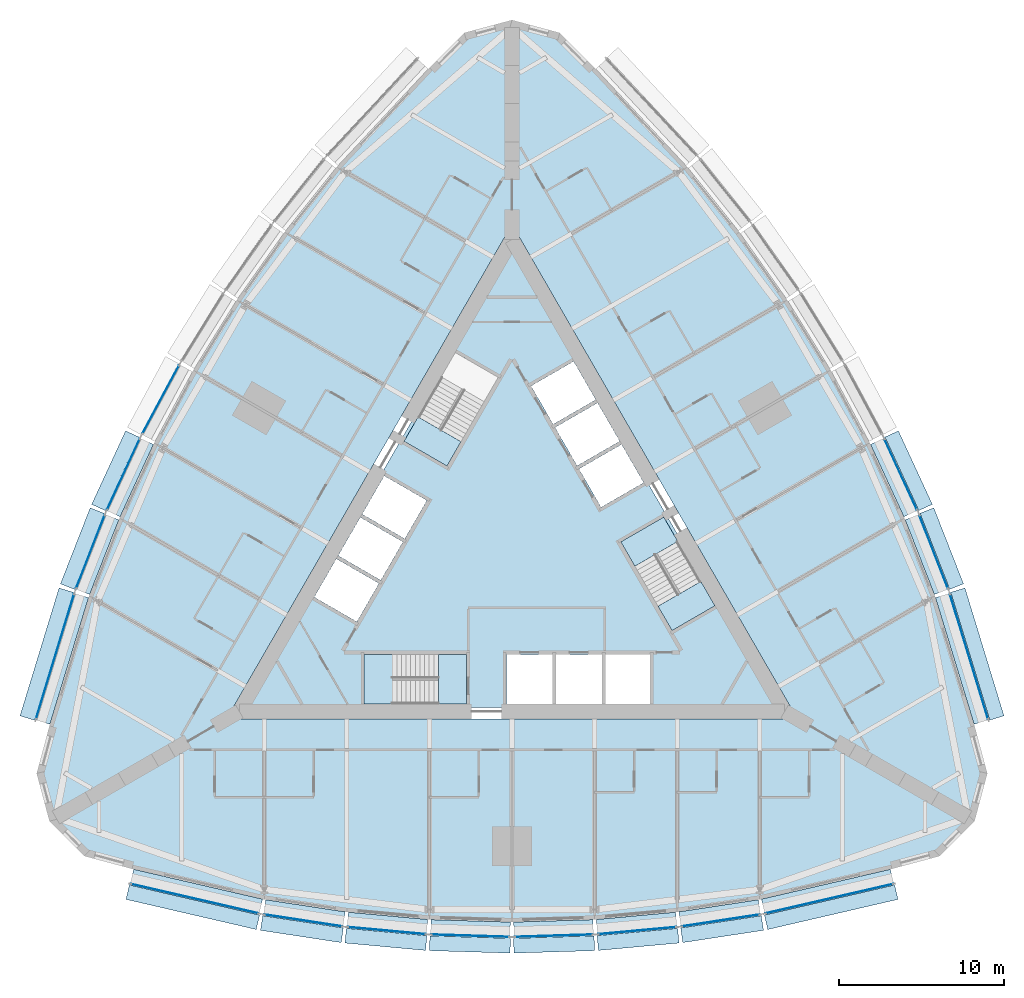
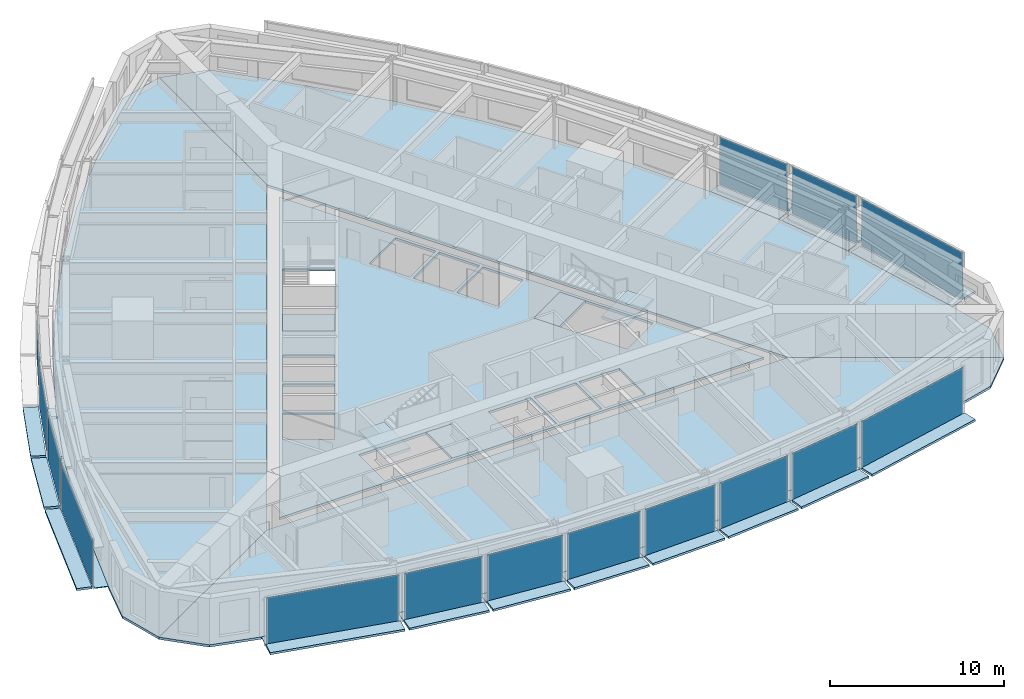
# One storey, part 6 of 14: 43 plates, 9 slabs, 18 elements without a shape of their own.
"""IFC4 building model written with IfcOpenShell, lengths in metres."""

import ifcopenshell
import ifcopenshell.guid

model = None  # the IFC model being written
_history = None  # IfcOwnerHistory: only IFC2X3 demands one
_inside = {}  # id of a spatial element -> (the spatial element, [elements in it])
_under = {}  # id of a project, library or spatial element -> (it, [spatial elements below it])
_declared = {}  # id of a project -> (the project, [libraries it declares])
_typed = {}  # id of a type object -> (the type object, [elements of that type])
_made_of = {}  # id of a material, layer set ... -> (it, [elements and type objects made of it])


def new_model(schema):
    """Start an empty IFC model of exactly this schema.

    Asked for "IFC4X3", IfcOpenShell would pick the latest addendum, in which some entities
    have other attributes; the version numbers below select the first issue.
    IFC2X3 requires an IfcOwnerHistory on every rooted entity: one is made here for all.
    """
    global model, _history
    if schema == "IFC4X3":
        model = ifcopenshell.file(schema_version=(4, 3, 0, 0))
    else:
        model = ifcopenshell.file(schema=schema)
    _inside.clear()
    _under.clear()
    _declared.clear()
    _typed.clear()
    _made_of.clear()
    _history = None
    if model.schema == "IFC2X3":
        org = make("IfcOrganization", Name="unknown")
        user = make(
            "IfcPersonAndOrganization",
            ThePerson=make("IfcPerson", FamilyName="unknown"),
            TheOrganization=org,
        )
        app = make(
            "IfcApplication",
            ApplicationDeveloper=org,
            Version="unknown",
            ApplicationFullName="unknown",
            ApplicationIdentifier="unknown",
        )
        _history = make(
            "IfcOwnerHistory",
            OwningUser=user,
            OwningApplication=app,
            ChangeAction="ADDED",
            CreationDate=0,
        )
    return model


def make(cls, **values):
    """One entity of the class cls with the attributes given. An attribute that is None is left unset."""
    return model.create_entity(
        cls, **{name: value for name, value in values.items() if value is not None}
    )


def rooted(cls, **values):
    """An entity with a GlobalId (a new one), such as an element, a storey or a relation."""
    return make(cls, GlobalId=ifcopenshell.guid.new(), OwnerHistory=_history, **values)


def si_unit(unit_type, name, prefix=None):
    """IfcSIUnit, for example si_unit("LENGTHUNIT", "METRE", prefix="MILLI")."""
    return make("IfcSIUnit", UnitType=unit_type, Prefix=prefix, Name=name)


def assignment(units):
    """IfcUnitAssignment: the units of a project."""
    return None if units is None else make("IfcUnitAssignment", Units=units)


def point(xyz):
    """IfcCartesianPoint."""
    return None if xyz is None else make("IfcCartesianPoint", Coordinates=xyz)


def direction(xyz):
    """IfcDirection."""
    return None if xyz is None else make("IfcDirection", DirectionRatios=xyz)


def frame(location, z_axis=None, x_axis=None):
    """IfcAxis2Placement3D, a coordinate frame: its origin and axes. An axis left out is left unset."""
    return make(
        "IfcAxis2Placement3D",
        Location=point(location),
        Axis=direction(z_axis),
        RefDirection=direction(x_axis),
    )


def frame_2d(location, x_axis=None):
    """IfcAxis2Placement2D, a coordinate frame in the plane: its origin and x axis."""
    return make(
        "IfcAxis2Placement2D", Location=point(location), RefDirection=direction(x_axis)
    )


def origin():
    """The frame at (0, 0, 0) with its axes left unset."""
    return frame((0.0, 0.0, 0.0))


def origin_2d():
    """The frame at (0, 0) in the plane with its x axis left unset."""
    return frame_2d((0.0, 0.0))


def place(relative_to, where):
    """IfcLocalPlacement: puts the frame where relative to a parent placement (None: the world)."""
    return make(
        "IfcLocalPlacement", PlacementRelTo=relative_to, RelativePlacement=where
    )


def context(
    kind, dimensions, precision=None, world=None, true_north=None, identifier=None
):
    """IfcGeometricRepresentationContext, for example the 3D "Model" context."""
    return make(
        "IfcGeometricRepresentationContext",
        ContextIdentifier=identifier,
        ContextType=kind,
        CoordinateSpaceDimension=dimensions,
        Precision=precision,
        WorldCoordinateSystem=world,
        TrueNorth=true_north,
    )


def subcontext(parent, identifier, kind, view, scale=None):
    """IfcGeometricRepresentationSubContext, for example "Body" below "Model"."""
    return make(
        "IfcGeometricRepresentationSubContext",
        ContextIdentifier=identifier,
        ContextType=kind,
        ParentContext=parent,
        TargetScale=scale,
        TargetView=view,
    )


def project(units=None, contexts=None):
    """IfcProject with its units and contexts."""
    return rooted(
        "IfcProject",
        Name="project",
        RepresentationContexts=contexts,
        UnitsInContext=assignment(units),
    )


def spatial(cls, under=None, at=None, **own):
    """A site, building, storey or space (cls), placed at a placement, below another one or the project."""
    s = rooted(cls, ObjectPlacement=at, **own)
    if under is not None:
        _under.setdefault(under.id(), (under, []))[1].append(s)
    return s


def polyline(points):
    """IfcPolyline through the points."""
    return make("IfcPolyline", Points=[point(p) for p in points])


def profile(cls, at=None, kind="AREA", **sizes):
    """A parametric profile (cls). Its sizes go by their IFC names, for example OverallWidth=200.0."""
    return make(cls, ProfileType=kind, Position=at, **sizes)


def rectangle(**sizes):
    """IfcRectangleProfileDef."""
    return profile("IfcRectangleProfileDef", **sizes)


def outline(outer, holes=None, kind="AREA"):
    """IfcArbitraryClosedProfileDef: a profile drawn as a closed curve; with holes, ...WithVoids."""
    if holes is None:
        return make("IfcArbitraryClosedProfileDef", ProfileType=kind, OuterCurve=outer)
    return make(
        "IfcArbitraryProfileDefWithVoids",
        ProfileType=kind,
        OuterCurve=outer,
        InnerCurves=holes,
    )


def extrude(swept, where, along, depth):
    """IfcExtrudedAreaSolid: the profile swept, set in the frame where, extruded along a direction by depth."""
    return make(
        "IfcExtrudedAreaSolid",
        SweptArea=swept,
        Position=where,
        ExtrudedDirection=direction(along),
        Depth=depth,
    )


def shape(context_of_items, identifier, shape_type, items):
    """IfcShapeRepresentation: the items that make up one representation, for example the "Body"."""
    return make(
        "IfcShapeRepresentation",
        ContextOfItems=context_of_items,
        RepresentationIdentifier=identifier,
        RepresentationType=shape_type,
        Items=items,
    )


def material(Name=None, Category=None):
    """IfcMaterial."""
    return make("IfcMaterial", Name=Name, Category=Category)


def layer(
    of_material, thickness, ventilated=None, Name=None, Category=None, Priority=None
):
    """IfcMaterialLayer: one layer of a wall or slab, of a material (None: an air gap)."""
    return make(
        "IfcMaterialLayer",
        Material=of_material,
        LayerThickness=thickness,
        IsVentilated=ventilated,
        Name=Name,
        Category=Category,
        Priority=Priority,
    )


def layer_set(layers, Name=None):
    """IfcMaterialLayerSet."""
    return make("IfcMaterialLayerSet", MaterialLayers=layers, LayerSetName=Name)


def made_of(thing, what):
    """Note that an element or type object is made of a material, layer set ...; save() writes the relation."""
    if what is not None:
        _made_of.setdefault(what.id(), (what, []))[1].append(thing)
    return thing


def type_object(cls, material=None, **own):
    """A type object (cls), such as IfcWallType, which elements share."""
    return made_of(rooted(cls, **own), material)


def element(
    cls,
    number,
    at=None,
    inside=None,
    cuts=None,
    type_object=None,
    material=None,
    context=None,
    identifier="Body",
    shape_type=None,
    held_by="IfcProductDefinitionShape",
    body=None,
    shapes=None,
    **own,
):
    """One element of the class cls, such as IfcWall. Its Tag is "e" and its number.

    at: its placement. inside: the storey or other place that contains it. cuts: it is an
    opening in that element (IfcRelVoidsElement). A single representation is given by context,
    identifier, shape_type and body (its items); several are given by shapes. held_by: the class
    of the entity that holds the representations. save() writes the other relations.
    """
    e = rooted(cls, Tag="e%d" % number, ObjectPlacement=at, **own)
    if body is not None:
        shapes = [shape(context, identifier, shape_type, body)]
    if shapes is not None:
        e.Representation = make(held_by, Representations=shapes)
    if inside is not None:
        _inside.setdefault(inside.id(), (inside, []))[1].append(e)
    if cuts is not None:
        rooted(
            "IfcRelVoidsElement", RelatingBuildingElement=cuts, RelatedOpeningElement=e
        )
    if type_object is not None:
        _typed.setdefault(type_object.id(), (type_object, []))[1].append(e)
    return made_of(e, material)


def aggregate(whole, parts):
    """IfcRelAggregates: a whole, such as a stair, and the parts it consists of."""
    return rooted("IfcRelAggregates", RelatingObject=whole, RelatedObjects=parts)


def save(model, path):
    """Write the relations noted so far, then the file.

    IfcRelAggregates (storeys below a building ...), IfcRelContainedInSpatialStructure (elements
    in a storey), IfcRelDefinesByType, IfcRelAssociatesMaterial and IfcRelDeclares: one each for
    every whole, place, type object, material and project.
    """
    for whole, parts in _under.values():
        aggregate(whole, parts)
    for where, things in _inside.values():
        rooted(
            "IfcRelContainedInSpatialStructure",
            RelatedElements=things,
            RelatingStructure=where,
        )
    for kind, things in _typed.values():
        rooted("IfcRelDefinesByType", RelatedObjects=things, RelatingType=kind)
    for what, things in _made_of.values():
        rooted("IfcRelAssociatesMaterial", RelatedObjects=things, RelatingMaterial=what)
    for by, libraries in _declared.values():
        rooted("IfcRelDeclares", RelatingContext=by, RelatedDefinitions=libraries)
    model.write(path)


model = new_model("IFC4")

# Units and contexts
model_context = context("Model", 3, precision=1e-05, world=origin(), true_north=direction((0.0, 1.0)))
body_context = subcontext(model_context, "Body", "Model", "MODEL_VIEW")
ifc_project = project(units=[si_unit("LENGTHUNIT", "METRE"), si_unit("AREAUNIT", "SQUARE_METRE"), si_unit("VOLUMEUNIT", "CUBIC_METRE"), si_unit("PLANEANGLEUNIT", "RADIAN"), si_unit("MASSUNIT", "GRAM", prefix="KILO")], contexts=[model_context])

# Site, building, storey
site_placement = place(None, origin())
site = spatial("IfcSite", under=ifc_project, at=site_placement, CompositionType="ELEMENT")
building_placement = place(site_placement, origin())
building = spatial("IfcBuilding", under=site, at=building_placement, Name="Trikona Tower", CompositionType="ELEMENT")
storey_placement = place(building_placement, frame((0.0, 0.0, 86.300048828125)))
storey = spatial("IfcBuildingStorey", under=building, at=storey_placement, Name="L22", CompositionType="ELEMENT", Elevation=86.300048828125)

# Plates
ifc_material_1 = material(Name="Aluminium bar grating", Category="aluminium")
ifc_layer_1 = layer(ifc_material_1, 0.050048828125)
ifc_layer_set_1 = layer_set([ifc_layer_1], Name="Cavity catwalk grating")
plate_type_1 = type_object("IfcPlateType", Name="Cavity catwalk grating", PredefinedType="USERDEFINED", material=ifc_layer_set_1)
plate_1_placement = place(storey_placement, frame((-19.09228515625, -20.377197265625, -0.05029296875), z_axis=(0.0, 0.0, 1.0), x_axis=(0.974277718622, -0.225350675607, 0.0)))
element("IfcPlate", 1, at=plate_1_placement, inside=storey, type_object=plate_type_1, Name="Cavity catwalk L22-00", ObjectType="CATWALK GRATING", PredefinedType="USERDEFINED", context=body_context, shape_type="SweptSolid", body=[
    extrude(rectangle(XDim=8.01123046875, YDim=0.820068359375, at=origin_2d()), origin(), (0.0, 0.0, 1.0), 0.050048828125),
])
plate_2_placement = place(storey_placement, frame((-12.561767578125, -21.688720703125, -0.05029296875), z_axis=(0.0, 0.0, 1.0), x_axis=(0.988617896768, -0.150448177754, 0.0)))
element("IfcPlate", 2, at=plate_2_placement, inside=storey, type_object=plate_type_1, Name="Cavity catwalk L22-01", ObjectType="CATWALK GRATING", PredefinedType="USERDEFINED", context=body_context, shape_type="SweptSolid", body=[
    extrude(rectangle(XDim=4.857666015625, YDim=0.820068359375, at=origin_2d()), origin(), (0.0, 0.0, 1.0), 0.050048828125),
])
plate_3_placement = place(storey_placement, frame((-7.537353515625, -22.300537109375, -0.05029296875), z_axis=(0.0, 0.0, 1.0), x_axis=(0.995858098326, -0.090921108655, 0.0)))
element("IfcPlate", 3, at=plate_3_placement, inside=storey, type_object=plate_type_1, Name="Cavity catwalk L22-02", ObjectType="CATWALK GRATING", PredefinedType="USERDEFINED", context=body_context, shape_type="SweptSolid", body=[
    extrude(rectangle(XDim=4.82080078125, YDim=0.820068359375, at=origin_2d()), origin(), (0.0, 0.0, 1.0), 0.050048828125),
])
for number, where, z_axis, x_axis, name in (
    (4, (-2.512451171875, -22.606201171875, -0.05029296875), (0.0, 0.0, 1.0), (0.999537048889, -0.030425119525, 0.0), "Cavity catwalk L22-03"),
    (5, (2.512451171875, -22.606201171875, -0.05029296875), (0.0, 0.0, 1.0), (0.999537048889, 0.030425119525, 0.0), "Cavity catwalk L22-04"),
):
    element("IfcPlate", number, at=place(storey_placement, frame(where, z_axis=z_axis, x_axis=x_axis)), inside=storey, type_object=plate_type_1, Name=name, ObjectType="CATWALK GRATING", PredefinedType="USERDEFINED", context=body_context, shape_type="SweptSolid", body=[
        extrude(rectangle(XDim=4.80224609375, YDim=0.820068359375, at=origin_2d()), origin(), (0.0, 0.0, 1.0), 0.050048828125),
    ])
plate_4_placement = place(storey_placement, frame((7.537353515625, -22.300537109375, -0.05029296875), z_axis=(0.0, 0.0, 1.0), x_axis=(0.995858098326, 0.090921108655, 0.0)))
element("IfcPlate", 6, at=plate_4_placement, inside=storey, type_object=plate_type_1, Name="Cavity catwalk L22-05", ObjectType="CATWALK GRATING", PredefinedType="USERDEFINED", context=body_context, shape_type="SweptSolid", body=[
    extrude(rectangle(XDim=4.82080078125, YDim=0.820068359375, at=origin_2d()), origin(), (0.0, 0.0, 1.0), 0.050048828125),
])
plate_5_placement = place(storey_placement, frame((12.561767578125, -21.688720703125, -0.05029296875), z_axis=(0.0, 0.0, 1.0), x_axis=(0.988617896768, 0.150448177754, 0.0)))
element("IfcPlate", 7, at=plate_5_placement, inside=storey, type_object=plate_type_1, Name="Cavity catwalk L22-06", ObjectType="CATWALK GRATING", PredefinedType="USERDEFINED", context=body_context, shape_type="SweptSolid", body=[
    extrude(rectangle(XDim=4.857666015625, YDim=0.820068359375, at=origin_2d()), origin(), (0.0, 0.0, 1.0), 0.050048828125),
])
for number, where, z_axis, x_axis, name in (
    (8, (19.09228515625, -20.377197265625, -0.05029296875), (0.0, 0.0, 1.0), (0.974277718622, 0.225350675607, 0.0), "Cavity catwalk L22-07"),
    (9, (27.193359375, -6.345947265625, -0.05029296875), (0.0, 0.0, 1.0), (-0.291979449475, 0.956424592471, 0.0), "Cavity catwalk L22-12"),
):
    element("IfcPlate", number, at=place(storey_placement, frame(where, z_axis=z_axis, x_axis=x_axis)), inside=storey, type_object=plate_type_1, Name=name, ObjectType="CATWALK GRATING", PredefinedType="USERDEFINED", context=body_context, shape_type="SweptSolid", body=[
        extrude(rectangle(XDim=8.01123046875, YDim=0.820068359375, at=origin_2d()), origin(), (0.0, 0.0, 1.0), 0.050048828125),
    ])
plate_6_placement = place(storey_placement, frame((25.06396484375, -0.034423828125, -0.05029296875), z_axis=(0.0, 0.0, 1.0), x_axis=(-0.364008876551, 0.931395478726, 0.0)))
element("IfcPlate", 10, at=plate_6_placement, inside=storey, type_object=plate_type_1, Name="Cavity catwalk L22-13", ObjectType="CATWALK GRATING", PredefinedType="USERDEFINED", context=body_context, shape_type="SweptSolid", body=[
    extrude(rectangle(XDim=4.857666015625, YDim=0.820068359375, at=origin_2d()), origin(), (0.0, 0.0, 1.0), 0.050048828125),
])
for number, where, z_axis, x_axis, name in (
    (11, (23.081298828125, 4.622802734375, -0.05029296875), (0.0, 0.0, 1.0), (-0.41919381307, 0.907896771161, 0.0), "Cavity catwalk L22-14"),
    (12, (-23.081298828125, 4.622802734375, -0.05029296875), (0.0, 0.0, 1.0), (-0.41919381307, -0.907896771161, 0.0), "Cavity catwalk L22-29"),
):
    element("IfcPlate", number, at=place(storey_placement, frame(where, z_axis=z_axis, x_axis=x_axis)), inside=storey, type_object=plate_type_1, Name=name, ObjectType="CATWALK GRATING", PredefinedType="USERDEFINED", context=body_context, shape_type="SweptSolid", body=[
        extrude(rectangle(XDim=4.82080078125, YDim=0.820068359375, at=origin_2d()), origin(), (0.0, 0.0, 1.0), 0.050048828125),
    ])
plate_7_placement = place(storey_placement, frame((-25.06396484375, -0.034423828125, -0.05029296875), z_axis=(0.0, 0.0, 1.0), x_axis=(-0.364008876551, -0.931395478726, 0.0)))
element("IfcPlate", 13, at=plate_7_placement, inside=storey, type_object=plate_type_1, Name="Cavity catwalk L22-30", ObjectType="CATWALK GRATING", PredefinedType="USERDEFINED", context=body_context, shape_type="SweptSolid", body=[
    extrude(rectangle(XDim=4.857666015625, YDim=0.820068359375, at=origin_2d()), origin(), (0.0, 0.0, 1.0), 0.050048828125),
])
plate_8_placement = place(storey_placement, frame((-27.193359375, -6.345947265625, -0.05029296875), z_axis=(0.0, 0.0, 1.0), x_axis=(-0.291979449475, -0.956424592471, 0.0)))
element("IfcPlate", 14, at=plate_8_placement, inside=storey, type_object=plate_type_1, Name="Cavity catwalk L22-31", ObjectType="CATWALK GRATING", PredefinedType="USERDEFINED", context=body_context, shape_type="SweptSolid", body=[
    extrude(rectangle(XDim=8.01123046875, YDim=0.820068359375, at=origin_2d()), origin(), (0.0, 0.0, 1.0), 0.050048828125),
])

# Slabs
ifc_material_2 = material(Name="Concrete f'c 5000 psi lightweight on composite steel deck", Category="concrete")
ifc_layer_2 = layer(ifc_material_2, 0.1650390625)
ifc_layer_set_2 = layer_set([ifc_layer_2], Name="Composite floor slab 165")
slab_type_1 = type_object("IfcSlabType", Name="Composite floor slab 165", PredefinedType="FLOOR", material=ifc_layer_set_2)
slab_1_placement = place(storey_placement, frame((0.0, 0.0, -0.1650390625)))
element("IfcSlab", 15, at=slab_1_placement, inside=storey, type_object=slab_type_1, Name="Floor slab L22 core", PredefinedType="FLOOR", context=body_context, shape_type="SweptSolid", body=[
    extrude(outline(polyline([(-16.06689453125, -9.2763671875), (16.06689453125, -9.2763671875), (0.0, 18.552490234375), (-16.06689453125, -9.2763671875)]), holes=[polyline([(12.285400390625, -3.126220703125), (9.185302734375, 2.2431640625), (6.587158203125, 0.7431640625), (9.687255859375, -4.626220703125), (12.285400390625, -3.126220703125)]), polyline([(8.340087890625, -9.06640625), (8.340087890625, -6.086181640625), (5.659912109375, -6.086181640625), (5.659912109375, -9.06640625), (8.340087890625, -9.06640625)]), polyline([(5.390869140625, 2.835205078125), (7.9716796875, 4.3251953125), (6.631591796875, 6.646240234375), (4.05078125, 5.15625), (5.390869140625, 2.835205078125)]), polyline([(2.600830078125, 7.667724609375), (3.94091796875, 5.3466796875), (6.521484375, 6.8369140625), (5.181640625, 9.15771484375), (2.600830078125, 7.667724609375)]), polyline([(5.43994140625, -6.086181640625), (2.659912109375, -6.086181640625), (2.659912109375, -9.06640625), (5.43994140625, -9.06640625), (5.43994140625, -6.086181640625)]), polyline([(3.731689453125, 11.669189453125), (1.15087890625, 10.17919921875), (2.490966796875, 7.858154296875), (5.071533203125, 9.34814453125), (3.731689453125, 11.669189453125)]), polyline([(-0.340087890625, -6.086181640625), (-0.340087890625, -9.06640625), (2.43994140625, -9.06640625), (2.43994140625, -6.086181640625), (-0.340087890625, -6.086181640625)]), polyline([(-3.435302734375, 12.202392578125), (-6.535400390625, 6.8330078125), (-3.937255859375, 5.3330078125), (-0.837158203125, 10.702392578125), (-3.435302734375, 12.202392578125)]), polyline([(-8.949951171875, -9.076416015625), (-2.75, -9.076416015625), (-2.75, -6.076416015625), (-8.949951171875, -6.076416015625), (-8.949951171875, -9.076416015625)]), polyline([(-5.15087890625, 3.2509765625), (-7.731689453125, 4.740966796875), (-9.071533203125, 2.419921875), (-6.490966796875, 0.929931640625), (-5.15087890625, 3.2509765625)]), polyline([(-7.94091796875, -1.581298828125), (-6.600830078125, 0.739501953125), (-9.181640625, 2.2294921875), (-10.521484375, -0.09130859375), (-7.94091796875, -1.581298828125)]), polyline([(-11.9716796875, -2.602783203125), (-9.390869140625, -4.093017578125), (-8.05078125, -1.77197265625), (-10.631591796875, -0.281982421875), (-11.9716796875, -2.602783203125)])]), origin(), (0.0, 0.0, 1.0), 0.1650390625),
])
slab_2_placement = place(storey_placement, frame((0.0, 0.0, -0.1650390625)))
element("IfcSlab", 16, at=slab_2_placement, inside=storey, type_object=slab_type_1, Name="Floor slab L22 south", PredefinedType="FLOOR", context=body_context, shape_type="SweptSolid", body=[
    extrude(outline(polyline([(25.88671875, -18.279052734375), (28.0, -16.165771484375), (17.279296875, -9.976318359375), (-17.279296875, -9.976318359375), (-28.0, -16.165771484375), (-25.88671875, -18.279052734375), (-23.0, -19.052490234375), (-15.0, -20.903076171875), (-10.0, -21.663818359375), (-5.0, -22.120361328125), (0.0, -22.272705078125), (5.0, -22.120361328125), (10.0, -21.663818359375), (15.0, -20.903076171875), (23.0, -19.052490234375), (25.88671875, -18.279052734375)])), origin(), (0.0, 0.0, 1.0), 0.1650390625),
])
slab_3_placement = place(storey_placement, frame((0.0, 0.0, -0.1650390625)))
element("IfcSlab", 17, at=slab_3_placement, inside=storey, type_object=slab_type_1, Name="Floor slab L22 north-east", PredefinedType="FLOOR", context=body_context, shape_type="SweptSolid", body=[
    extrude(outline(polyline([(2.88671875, 31.55810546875), (0.0, 32.33154296875), (0.0, 19.95263671875), (17.279296875, -9.976318359375), (28.0, -16.165771484375), (28.7734375, -13.279052734375), (28.0, -10.392333984375), (25.6025390625, -2.538818359375), (23.761474609375, 2.171630859375), (21.65673828125, 6.72998046875), (19.28857421875, 11.13623046875), (16.65673828125, 15.390380859375), (13.761474609375, 19.4921875), (10.6025390625, 23.44189453125), (5.0, 29.44482421875), (2.88671875, 31.55810546875)])), origin(), (0.0, 0.0, 1.0), 0.1650390625),
])
slab_4_placement = place(storey_placement, frame((0.0, 0.0, -0.1650390625)))
element("IfcSlab", 18, at=slab_4_placement, inside=storey, type_object=slab_type_1, Name="Floor slab L22 north-west", PredefinedType="FLOOR", context=body_context, shape_type="SweptSolid", body=[
    extrude(outline(polyline([(0.0, 19.95263671875), (0.0, 32.33154296875), (-2.88671875, 31.55810546875), (-5.0, 29.44482421875), (-10.6025390625, 23.44189453125), (-13.761474609375, 19.4921875), (-16.65673828125, 15.390380859375), (-19.28857421875, 11.13623046875), (-21.65673828125, 6.72998046875), (-23.761474609375, 2.171630859375), (-25.6025390625, -2.538818359375), (-28.0, -10.392333984375), (-28.7734375, -13.279052734375), (-28.0, -16.165771484375), (-17.279296875, -9.976318359375), (0.0, 19.95263671875)])), origin(), (0.0, 0.0, 1.0), 0.1650390625),
])

# Curtain wall, plate
ifc_material_3 = material(Name="Aluminium curtain wall system", Category="aluminium")
curtain_wall_type = type_object("IfcCurtainWallType", Name="Curtain wall DS1", PredefinedType="NOTDEFINED", material=ifc_material_3)
curtain_wall_1_placement = place(storey_placement, origin())
curtain_wall_1 = element("IfcCurtainWall", 19, at=curtain_wall_1_placement, inside=storey, type_object=curtain_wall_type, Name="Curtain wall DS1 L22", PredefinedType="NOTDEFINED")
ifc_material_4 = material(Name="Laminated clear glass", Category="glass")
ifc_layer_3 = layer(ifc_material_4, 0.028076171875)
ifc_layer_set_3 = layer_set([ifc_layer_3], Name="Glass panel DS1")
plate_type_2 = type_object("IfcPlateType", Name="Glass panel DS1", PredefinedType="CURTAIN_PANEL", material=ifc_layer_set_3)
plate_9_placement = place(storey_placement, frame((-19.202880859375, -20.854736328125, 0.0), z_axis=(0.0, 0.0, 1.0), x_axis=(0.974279427173, -0.225343288756, 0.0)))
plate_9 = element("IfcPlate", 20, at=plate_9_placement, type_object=plate_type_2, Name="CW-DS1 panel 1.1", PredefinedType="CURTAIN_PANEL", context=body_context, shape_type="SweptSolid", body=[
    extrude(rectangle(XDim=7.93115234375, YDim=0.028076171875, at=origin_2d()), origin(), (0.0, 0.0, 1.0), 3.320068359375),
])
aggregate(curtain_wall_1, [plate_9])

curtain_wall_2_placement = place(storey_placement, origin())
curtain_wall_2 = element("IfcCurtainWall", 21, at=curtain_wall_2_placement, inside=storey, type_object=curtain_wall_type, Name="Curtain wall DS1 L22", PredefinedType="NOTDEFINED")
plate_10_placement = place(storey_placement, frame((-12.635498046875, -22.173095703125, 0.0), z_axis=(0.0, 0.0, 1.0), x_axis=(0.988619492156, -0.150437693845, 0.0)))
plate_10 = element("IfcPlate", 22, at=plate_10_placement, type_object=plate_type_2, Name="CW-DS1 panel 1.1", PredefinedType="CURTAIN_PANEL", context=body_context, shape_type="SweptSolid", body=[
    extrude(rectangle(XDim=4.777587890625, YDim=0.028076171875, at=origin_2d()), origin(), (0.0, 0.0, 1.0), 3.320068359375),
])
aggregate(curtain_wall_2, [plate_10])

curtain_wall_3_placement = place(storey_placement, origin())
curtain_wall_3 = element("IfcCurtainWall", 23, at=curtain_wall_3_placement, inside=storey, type_object=curtain_wall_type, Name="Curtain wall DS1 L22", PredefinedType="NOTDEFINED")
plate_11_placement = place(storey_placement, frame((-7.581787109375, -22.788330078125, 0.0), z_axis=(0.0, 0.0, 1.0), x_axis=(0.995857840485, -0.090923932737, 0.0)))
plate_11 = element("IfcPlate", 24, at=plate_11_placement, type_object=plate_type_2, Name="CW-DS1 panel 1.1", PredefinedType="CURTAIN_PANEL", context=body_context, shape_type="SweptSolid", body=[
    extrude(rectangle(XDim=4.74072265625, YDim=0.028076171875, at=origin_2d()), origin(), (0.0, 0.0, 1.0), 3.320068359375),
])
aggregate(curtain_wall_3, [plate_11])

curtain_wall_4_placement = place(storey_placement, origin())
curtain_wall_4 = element("IfcCurtainWall", 25, at=curtain_wall_4_placement, inside=storey, type_object=curtain_wall_type, Name="Curtain wall DS1 L22", PredefinedType="NOTDEFINED")
plate_12_placement = place(storey_placement, frame((-2.52734375, -23.09619140625, 0.0), z_axis=(0.0, 0.0, 1.0), x_axis=(0.999536695965, -0.030436711692, 0.0)))
plate_12 = element("IfcPlate", 26, at=plate_12_placement, type_object=plate_type_2, Name="CW-DS1 panel 1.1", PredefinedType="CURTAIN_PANEL", context=body_context, shape_type="SweptSolid", body=[
    extrude(rectangle(XDim=4.72216796875, YDim=0.028076171875, at=origin_2d()), origin(), (0.0, 0.0, 1.0), 3.320068359375),
])
aggregate(curtain_wall_4, [plate_12])

curtain_wall_5_placement = place(storey_placement, origin())
curtain_wall_5 = element("IfcCurtainWall", 27, at=curtain_wall_5_placement, inside=storey, type_object=curtain_wall_type, Name="Curtain wall DS1 L22", PredefinedType="NOTDEFINED")
plate_13_placement = place(storey_placement, frame((2.52734375, -23.09619140625, 0.0), z_axis=(0.0, 0.0, 1.0), x_axis=(0.999536695965, 0.030436711692, 0.0)))
plate_13 = element("IfcPlate", 28, at=plate_13_placement, type_object=plate_type_2, Name="CW-DS1 panel 1.1", PredefinedType="CURTAIN_PANEL", context=body_context, shape_type="SweptSolid", body=[
    extrude(rectangle(XDim=4.72216796875, YDim=0.028076171875, at=origin_2d()), origin(), (0.0, 0.0, 1.0), 3.320068359375),
])
aggregate(curtain_wall_5, [plate_13])

curtain_wall_6_placement = place(storey_placement, origin())
curtain_wall_6 = element("IfcCurtainWall", 29, at=curtain_wall_6_placement, inside=storey, type_object=curtain_wall_type, Name="Curtain wall DS1 L22", PredefinedType="NOTDEFINED")
plate_14_placement = place(storey_placement, frame((7.581787109375, -22.788330078125, 0.0), z_axis=(0.0, 0.0, 1.0), x_axis=(0.995857840485, 0.090923932737, 0.0)))
plate_14 = element("IfcPlate", 30, at=plate_14_placement, type_object=plate_type_2, Name="CW-DS1 panel 1.1", PredefinedType="CURTAIN_PANEL", context=body_context, shape_type="SweptSolid", body=[
    extrude(rectangle(XDim=4.74072265625, YDim=0.028076171875, at=origin_2d()), origin(), (0.0, 0.0, 1.0), 3.320068359375),
])
aggregate(curtain_wall_6, [plate_14])

curtain_wall_7_placement = place(storey_placement, origin())
curtain_wall_7 = element("IfcCurtainWall", 31, at=curtain_wall_7_placement, inside=storey, type_object=curtain_wall_type, Name="Curtain wall DS1 L22", PredefinedType="NOTDEFINED")
plate_15_placement = place(storey_placement, frame((12.635498046875, -22.173095703125, 0.0), z_axis=(0.0, 0.0, 1.0), x_axis=(0.988619492156, 0.150437693845, 0.0)))
plate_15 = element("IfcPlate", 32, at=plate_15_placement, type_object=plate_type_2, Name="CW-DS1 panel 1.1", PredefinedType="CURTAIN_PANEL", context=body_context, shape_type="SweptSolid", body=[
    extrude(rectangle(XDim=4.777587890625, YDim=0.028076171875, at=origin_2d()), origin(), (0.0, 0.0, 1.0), 3.320068359375),
])
aggregate(curtain_wall_7, [plate_15])

curtain_wall_8_placement = place(storey_placement, origin())
curtain_wall_8 = element("IfcCurtainWall", 33, at=curtain_wall_8_placement, inside=storey, type_object=curtain_wall_type, Name="Curtain wall DS1 L22", PredefinedType="NOTDEFINED")
plate_16_placement = place(storey_placement, frame((19.202880859375, -20.854736328125, 0.0), z_axis=(0.0, 0.0, 1.0), x_axis=(0.974279427173, 0.225343288756, 0.0)))
plate_16 = element("IfcPlate", 34, at=plate_16_placement, type_object=plate_type_2, Name="CW-DS1 panel 1.1", PredefinedType="CURTAIN_PANEL", context=body_context, shape_type="SweptSolid", body=[
    extrude(rectangle(XDim=7.93115234375, YDim=0.028076171875, at=origin_2d()), origin(), (0.0, 0.0, 1.0), 3.320068359375),
])
aggregate(curtain_wall_8, [plate_16])

curtain_wall_9_placement = place(storey_placement, origin())
curtain_wall_9 = element("IfcCurtainWall", 35, at=curtain_wall_9_placement, inside=storey, type_object=curtain_wall_type, Name="Curtain wall DS1 L22", PredefinedType="NOTDEFINED")
plate_17_placement = place(storey_placement, frame((27.662109375, -6.202880859375, 0.0), z_axis=(0.0, 0.0, 1.0), x_axis=(-0.291984287868, 0.956423115383, 0.0)))
plate_17 = element("IfcPlate", 36, at=plate_17_placement, type_object=plate_type_2, Name="CW-DS1 panel 1.1", PredefinedType="CURTAIN_PANEL", context=body_context, shape_type="SweptSolid", body=[
    extrude(rectangle(XDim=7.93115234375, YDim=0.028076171875, at=origin_2d()), origin(), (0.0, 0.0, 1.0), 3.320068359375),
])
aggregate(curtain_wall_9, [plate_17])

curtain_wall_10_placement = place(storey_placement, origin())
curtain_wall_10 = element("IfcCurtainWall", 37, at=curtain_wall_10_placement, inside=storey, type_object=curtain_wall_type, Name="Curtain wall DS1 L22", PredefinedType="NOTDEFINED")
plate_18_placement = place(storey_placement, frame((25.520263671875, 0.14404296875, 0.0), z_axis=(0.0, 0.0, 1.0), x_axis=(-0.36400756977, 0.931395989443, 0.0)))
plate_18 = element("IfcPlate", 38, at=plate_18_placement, type_object=plate_type_2, Name="CW-DS1 panel 1.1", PredefinedType="CURTAIN_PANEL", context=body_context, shape_type="SweptSolid", body=[
    extrude(rectangle(XDim=4.777587890625, YDim=0.028076171875, at=origin_2d()), origin(), (0.0, 0.0, 1.0), 3.320068359375),
])
aggregate(curtain_wall_10, [plate_18])

curtain_wall_11_placement = place(storey_placement, origin())
curtain_wall_11 = element("IfcCurtainWall", 39, at=curtain_wall_11_placement, inside=storey, type_object=curtain_wall_type, Name="Curtain wall DS1 L22", PredefinedType="NOTDEFINED")
plate_19_placement = place(storey_placement, frame((23.5263671875, 4.828125, 0.0), z_axis=(0.0, 0.0, 1.0), x_axis=(-0.419190155352, 0.907898459992, 0.0)))
plate_19 = element("IfcPlate", 40, at=plate_19_placement, type_object=plate_type_2, Name="CW-DS1 panel 1.1", PredefinedType="CURTAIN_PANEL", context=body_context, shape_type="SweptSolid", body=[
    extrude(rectangle(XDim=4.740966796875, YDim=0.028076171875, at=origin_2d()), origin(), (0.0, 0.0, 1.0), 3.320068359375),
])
aggregate(curtain_wall_11, [plate_19])

curtain_wall_12_placement = place(storey_placement, origin())
curtain_wall_12 = element("IfcCurtainWall", 41, at=curtain_wall_12_placement, inside=storey, type_object=curtain_wall_type, Name="Curtain wall DS1 L22", PredefinedType="NOTDEFINED")
plate_20_placement = place(storey_placement, frame((-21.265380859375, 9.359130859375, 0.0), z_axis=(0.0, 0.0, 1.0), x_axis=(-0.473408350896, -0.880843080975, 0.0)))
plate_20 = element("IfcPlate", 42, at=plate_20_placement, type_object=plate_type_2, Name="CW-DS1 panel 1.1", PredefinedType="CURTAIN_PANEL", context=body_context, shape_type="SweptSolid", body=[
    extrude(rectangle(XDim=4.72216796875, YDim=0.028076171875, at=origin_2d()), origin(), (0.0, 0.0, 1.0), 3.320068359375),
])
aggregate(curtain_wall_12, [plate_20])

curtain_wall_13_placement = place(storey_placement, origin())
curtain_wall_13 = element("IfcCurtainWall", 43, at=curtain_wall_13_placement, inside=storey, type_object=curtain_wall_type, Name="Curtain wall DS1 L22", PredefinedType="NOTDEFINED")
plate_21_placement = place(storey_placement, frame((-23.5263671875, 4.828125, 0.0), z_axis=(0.0, 0.0, 1.0), x_axis=(-0.419190155352, -0.907898459992, 0.0)))
plate_21 = element("IfcPlate", 44, at=plate_21_placement, type_object=plate_type_2, Name="CW-DS1 panel 1.1", PredefinedType="CURTAIN_PANEL", context=body_context, shape_type="SweptSolid", body=[
    extrude(rectangle(XDim=4.740966796875, YDim=0.028076171875, at=origin_2d()), origin(), (0.0, 0.0, 1.0), 3.320068359375),
])
aggregate(curtain_wall_13, [plate_21])

curtain_wall_14_placement = place(storey_placement, origin())
curtain_wall_14 = element("IfcCurtainWall", 45, at=curtain_wall_14_placement, inside=storey, type_object=curtain_wall_type, Name="Curtain wall DS1 L22", PredefinedType="NOTDEFINED")
plate_22_placement = place(storey_placement, frame((-25.520263671875, 0.14404296875, 0.0), z_axis=(0.0, 0.0, 1.0), x_axis=(-0.36400756977, -0.931395989443, 0.0)))
plate_22 = element("IfcPlate", 46, at=plate_22_placement, type_object=plate_type_2, Name="CW-DS1 panel 1.1", PredefinedType="CURTAIN_PANEL", context=body_context, shape_type="SweptSolid", body=[
    extrude(rectangle(XDim=4.777587890625, YDim=0.028076171875, at=origin_2d()), origin(), (0.0, 0.0, 1.0), 3.320068359375),
])
aggregate(curtain_wall_14, [plate_22])

curtain_wall_15_placement = place(storey_placement, origin())
curtain_wall_15 = element("IfcCurtainWall", 47, at=curtain_wall_15_placement, inside=storey, type_object=curtain_wall_type, Name="Curtain wall DS1 L22", PredefinedType="NOTDEFINED")
plate_23_placement = place(storey_placement, frame((-27.662109375, -6.202880859375, 0.0), z_axis=(0.0, 0.0, 1.0), x_axis=(-0.291984287868, -0.956423115383, 0.0)))
plate_23 = element("IfcPlate", 48, at=plate_23_placement, type_object=plate_type_2, Name="CW-DS1 panel 1.1", PredefinedType="CURTAIN_PANEL", context=body_context, shape_type="SweptSolid", body=[
    extrude(rectangle(XDim=7.93115234375, YDim=0.028076171875, at=origin_2d()), origin(), (0.0, 0.0, 1.0), 3.320068359375),
])
aggregate(curtain_wall_15, [plate_23])

# Plates
ifc_material_5 = material(Name="Aluminium plate fin, pale anodised, on stainless steel outriggers", Category="steel")
ifc_layer_4 = layer(ifc_material_5, 0.14990234375)
ifc_layer_set_4 = layer_set([ifc_layer_4], Name="Outer skin fin 900")
plate_type_3 = type_object("IfcPlateType", Name="Outer skin fin 900", PredefinedType="USERDEFINED", material=ifc_layer_set_4)
plate_24_placement = place(storey_placement, frame((-19.322265625, -21.37109375, 0.0), z_axis=(0.0, 0.0, 1.0), x_axis=(0.974277718622, -0.225350675607, 0.0)))
element("IfcPlate", 49, at=plate_24_placement, inside=storey, type_object=plate_type_3, Name="Outer skin fin L22-00", ObjectType="FIN", PredefinedType="USERDEFINED", context=body_context, shape_type="SweptSolid", body=[
    extrude(rectangle(XDim=8.09130859375, YDim=0.89990234375, at=origin_2d()), origin(), (0.0, 0.0, 1.0), 0.14990234375),
])
plate_25_placement = place(storey_placement, frame((-12.715087890625, -22.697265625, 0.0), z_axis=(0.0, 0.0, 1.0), x_axis=(0.988617896768, -0.150448177754, 0.0)))
element("IfcPlate", 50, at=plate_25_placement, inside=storey, type_object=plate_type_3, Name="Outer skin fin L22-01", ObjectType="FIN", PredefinedType="USERDEFINED", context=body_context, shape_type="SweptSolid", body=[
    extrude(rectangle(XDim=4.9375, YDim=0.89990234375, at=origin_2d()), origin(), (0.0, 0.0, 1.0), 0.14990234375),
])
plate_26_placement = place(storey_placement, frame((-7.6298828125, -23.316162109375, 0.0), z_axis=(0.0, 0.0, 1.0), x_axis=(0.995858098326, -0.090921108655, 0.0)))
element("IfcPlate", 51, at=plate_26_placement, inside=storey, type_object=plate_type_3, Name="Outer skin fin L22-02", ObjectType="FIN", PredefinedType="USERDEFINED", context=body_context, shape_type="SweptSolid", body=[
    extrude(rectangle(XDim=4.90087890625, YDim=0.89990234375, at=origin_2d()), origin(), (0.0, 0.0, 1.0), 0.14990234375),
])
for number, where, z_axis, x_axis, name in (
    (52, (-2.54345703125, -23.625732421875, 0.0), (0.0, 0.0, 1.0), (0.999537048889, -0.030425119525, 0.0), "Outer skin fin L22-03"),
    (53, (2.54345703125, -23.625732421875, 0.0), (0.0, 0.0, 1.0), (0.999537048889, 0.030425119525, 0.0), "Outer skin fin L22-04"),
):
    element("IfcPlate", number, at=place(storey_placement, frame(where, z_axis=z_axis, x_axis=x_axis)), inside=storey, type_object=plate_type_3, Name=name, ObjectType="FIN", PredefinedType="USERDEFINED", context=body_context, shape_type="SweptSolid", body=[
        extrude(rectangle(XDim=4.88232421875, YDim=0.89990234375, at=origin_2d()), origin(), (0.0, 0.0, 1.0), 0.14990234375),
    ])
plate_27_placement = place(storey_placement, frame((7.6298828125, -23.316162109375, 0.0), z_axis=(0.0, 0.0, 1.0), x_axis=(0.995858098326, 0.090921108655, 0.0)))
element("IfcPlate", 54, at=plate_27_placement, inside=storey, type_object=plate_type_3, Name="Outer skin fin L22-05", ObjectType="FIN", PredefinedType="USERDEFINED", context=body_context, shape_type="SweptSolid", body=[
    extrude(rectangle(XDim=4.90087890625, YDim=0.89990234375, at=origin_2d()), origin(), (0.0, 0.0, 1.0), 0.14990234375),
])
plate_28_placement = place(storey_placement, frame((12.715087890625, -22.697265625, 0.0), z_axis=(0.0, 0.0, 1.0), x_axis=(0.988617896768, 0.150448177754, 0.0)))
element("IfcPlate", 55, at=plate_28_placement, inside=storey, type_object=plate_type_3, Name="Outer skin fin L22-06", ObjectType="FIN", PredefinedType="USERDEFINED", context=body_context, shape_type="SweptSolid", body=[
    extrude(rectangle(XDim=4.9375, YDim=0.89990234375, at=origin_2d()), origin(), (0.0, 0.0, 1.0), 0.14990234375),
])
for number, where, z_axis, x_axis, name in (
    (56, (19.322265625, -21.37109375, 0.0), (0.0, 0.0, 1.0), (0.974277718622, 0.225350675607, 0.0), "Outer skin fin L22-07"),
    (57, (28.1689453125, -6.048095703125, 0.0), (0.0, 0.0, 1.0), (-0.291979449475, 0.956424592471, 0.0), "Outer skin fin L22-12"),
):
    element("IfcPlate", number, at=place(storey_placement, frame(where, z_axis=z_axis, x_axis=x_axis)), inside=storey, type_object=plate_type_3, Name=name, ObjectType="FIN", PredefinedType="USERDEFINED", context=body_context, shape_type="SweptSolid", body=[
        extrude(rectangle(XDim=8.09130859375, YDim=0.89990234375, at=origin_2d()), origin(), (0.0, 0.0, 1.0), 0.14990234375),
    ])
plate_29_placement = place(storey_placement, frame((26.013916015625, 0.3369140625, 0.0), z_axis=(0.0, 0.0, 1.0), x_axis=(-0.364008876551, 0.931395478726, 0.0)))
element("IfcPlate", 58, at=plate_29_placement, inside=storey, type_object=plate_type_3, Name="Outer skin fin L22-13", ObjectType="FIN", PredefinedType="USERDEFINED", context=body_context, shape_type="SweptSolid", body=[
    extrude(rectangle(XDim=4.9375, YDim=0.89990234375, at=origin_2d()), origin(), (0.0, 0.0, 1.0), 0.14990234375),
])
for number, where, z_axis, x_axis, name in (
    (59, (24.00732421875, 5.05029296875, 0.0), (0.0, 0.0, 1.0), (-0.41919381307, 0.907896771161, 0.0), "Outer skin fin L22-14"),
    (60, (-24.00732421875, 5.05029296875, 0.0), (0.0, 0.0, 1.0), (-0.41919381307, -0.907896771161, 0.0), "Outer skin fin L22-29"),
):
    element("IfcPlate", number, at=place(storey_placement, frame(where, z_axis=z_axis, x_axis=x_axis)), inside=storey, type_object=plate_type_3, Name=name, ObjectType="FIN", PredefinedType="USERDEFINED", context=body_context, shape_type="SweptSolid", body=[
        extrude(rectangle(XDim=4.90087890625, YDim=0.89990234375, at=origin_2d()), origin(), (0.0, 0.0, 1.0), 0.14990234375),
    ])
plate_30_placement = place(storey_placement, frame((-26.013916015625, 0.3369140625, 0.0), z_axis=(0.0, 0.0, 1.0), x_axis=(-0.364008876551, -0.931395478726, 0.0)))
element("IfcPlate", 61, at=plate_30_placement, inside=storey, type_object=plate_type_3, Name="Outer skin fin L22-30", ObjectType="FIN", PredefinedType="USERDEFINED", context=body_context, shape_type="SweptSolid", body=[
    extrude(rectangle(XDim=4.9375, YDim=0.89990234375, at=origin_2d()), origin(), (0.0, 0.0, 1.0), 0.14990234375),
])
plate_31_placement = place(storey_placement, frame((-28.1689453125, -6.048095703125, 0.0), z_axis=(0.0, 0.0, 1.0), x_axis=(-0.291979449475, -0.956424592471, 0.0)))
element("IfcPlate", 62, at=plate_31_placement, inside=storey, type_object=plate_type_3, Name="Outer skin fin L22-31", ObjectType="FIN", PredefinedType="USERDEFINED", context=body_context, shape_type="SweptSolid", body=[
    extrude(rectangle(XDim=8.09130859375, YDim=0.89990234375, at=origin_2d()), origin(), (0.0, 0.0, 1.0), 0.14990234375),
])

# Stair, slabs
ifc_material_6 = material(Name="Concrete f'c 5000 psi", Category="concrete")
stair_type = type_object("IfcStairType", Name="Core stair", PredefinedType="HALF_TURN_STAIR", material=ifc_material_6)
stair_1_placement = place(storey_placement, origin())
stair_1 = element("IfcStair", 63, at=stair_1_placement, inside=storey, type_object=stair_type, Name="Stair A L22", PredefinedType="HALF_TURN_STAIR")
ifc_material_7 = material(Name="Concrete f'c 5000 psi", Category="concrete")
ifc_layer_5 = layer(ifc_material_7, 0.199951171875)
ifc_layer_set_5 = layer_set([ifc_layer_5], Name="Stair landing 200")
slab_type_2 = type_object("IfcSlabType", Name="Stair landing 200", PredefinedType="LANDING", material=ifc_layer_set_5)
slab_5_placement = place(storey_placement, frame((0.0, 0.0, -0.199951171875)))
slab_5 = element("IfcSlab", 64, at=slab_5_placement, type_object=slab_type_2, Name="ST-A landing 1", PredefinedType="LANDING", context=body_context, shape_type="SweptSolid", body=[
    extrude(outline(polyline([(-4.452880859375, -6.076416015625), (-2.75, -6.076416015625), (-2.75, -9.076416015625), (-4.452880859375, -9.076416015625), (-4.452880859375, -6.076416015625)])), origin(), (0.0, 0.0, 1.0), 0.199951171875),
])
slab_6_placement = place(storey_placement, frame((0.0, 0.0, 1.5)))
slab_6 = element("IfcSlab", 65, at=slab_6_placement, type_object=slab_type_2, Name="ST-A landing 2", PredefinedType="LANDING", context=body_context, shape_type="SweptSolid", body=[
    extrude(outline(polyline([(-8.949951171875, -6.076416015625), (-7.2470703125, -6.076416015625), (-7.2470703125, -9.076416015625), (-8.949951171875, -9.076416015625), (-8.949951171875, -6.076416015625)])), origin(), (0.0, 0.0, 1.0), 0.199951171875),
])
aggregate(stair_1, [slab_5, slab_6])

stair_2_placement = place(storey_placement, origin())
stair_2 = element("IfcStair", 66, at=stair_2_placement, inside=storey, type_object=stair_type, Name="Stair B L22", PredefinedType="HALF_TURN_STAIR")
slab_7_placement = place(storey_placement, frame((0.0, 0.0, -0.199951171875)))
slab_7 = element("IfcSlab", 67, at=slab_7_placement, type_object=slab_type_2, Name="ST-B landing 1", PredefinedType="LANDING", context=body_context, shape_type="SweptSolid", body=[
    extrude(outline(polyline([(7.438720703125, -0.731689453125), (6.587158203125, 0.7431640625), (9.185302734375, 2.2431640625), (10.036865234375, 0.768310546875), (7.438720703125, -0.731689453125)])), origin(), (0.0, 0.0, 1.0), 0.199951171875),
])
slab_8_placement = place(storey_placement, frame((0.0, 0.0, 1.5)))
slab_8 = element("IfcSlab", 68, at=slab_8_placement, type_object=slab_type_2, Name="ST-B landing 2", PredefinedType="LANDING", context=body_context, shape_type="SweptSolid", body=[
    extrude(outline(polyline([(9.687255859375, -4.626220703125), (8.835693359375, -3.1513671875), (11.433837890625, -1.6513671875), (12.285400390625, -3.126220703125), (9.687255859375, -4.626220703125)])), origin(), (0.0, 0.0, 1.0), 0.199951171875),
])
aggregate(stair_2, [slab_7, slab_8])

# Stair, slab
stair_3_placement = place(storey_placement, origin())
stair_3 = element("IfcStair", 69, at=stair_3_placement, inside=storey, type_object=stair_type, Name="Stair C L22", PredefinedType="HALF_TURN_STAIR")
slab_9_placement = place(storey_placement, frame((0.0, 0.0, -0.199951171875)))
slab_9 = element("IfcSlab", 70, at=slab_9_placement, type_object=slab_type_2, Name="ST-C landing 1", PredefinedType="LANDING", context=body_context, shape_type="SweptSolid", body=[
    extrude(outline(polyline([(-3.085693359375, 6.807861328125), (-3.937255859375, 5.3330078125), (-6.535400390625, 6.8330078125), (-5.683837890625, 8.307861328125), (-3.085693359375, 6.807861328125)])), origin(), (0.0, 0.0, 1.0), 0.199951171875),
])
aggregate(stair_3, [slab_9])

save(model, "model.ifc")
